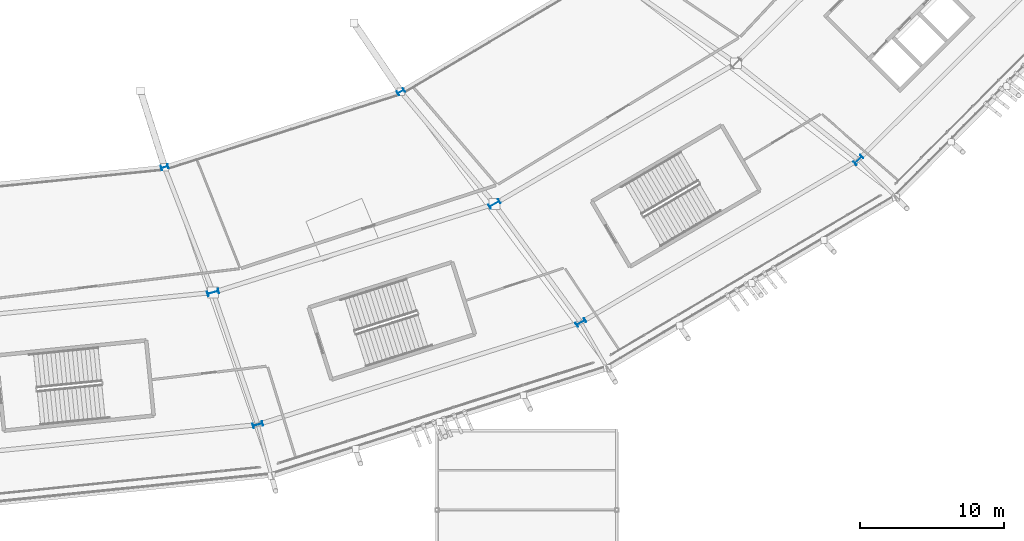
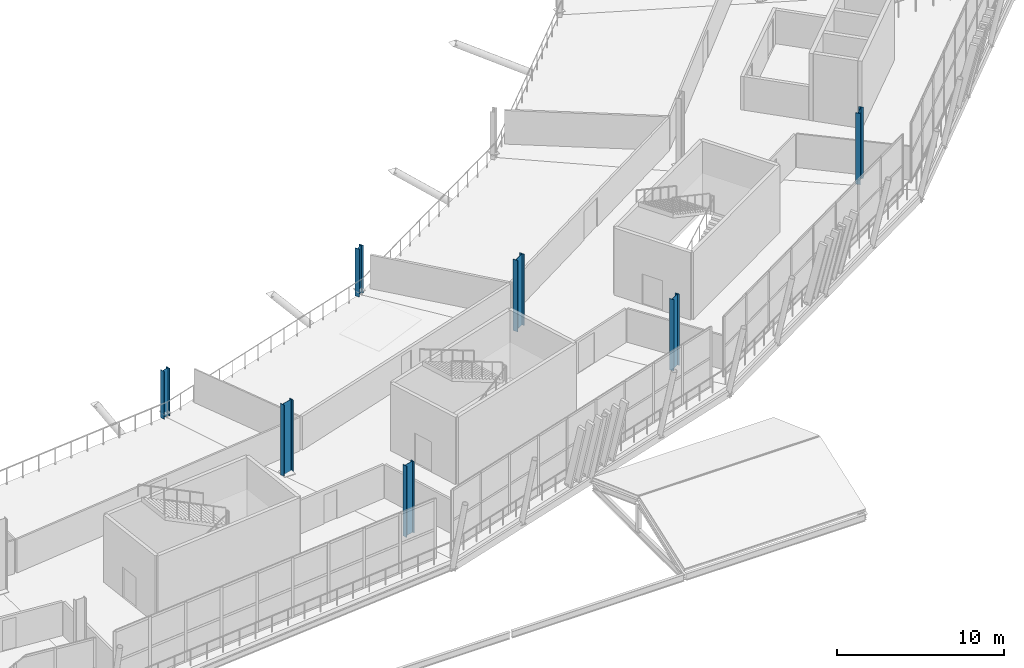
# One storey, part 9 of 168: 7 columns.
"""IFC4 building model written with IfcOpenShell, lengths in metres."""

import ifcopenshell
import ifcopenshell.guid

model = None  # the IFC model being written
_history = None  # IfcOwnerHistory: only IFC2X3 demands one
_inside = {}  # id of a spatial element -> (the spatial element, [elements in it])
_under = {}  # id of a project, library or spatial element -> (it, [spatial elements below it])
_declared = {}  # id of a project -> (the project, [libraries it declares])
_typed = {}  # id of a type object -> (the type object, [elements of that type])
_made_of = {}  # id of a material, layer set ... -> (it, [elements and type objects made of it])


def new_model(schema):
    """Start an empty IFC model of exactly this schema.

    Asked for "IFC4X3", IfcOpenShell would pick the latest addendum, in which some entities
    have other attributes; the version numbers below select the first issue.
    IFC2X3 requires an IfcOwnerHistory on every rooted entity: one is made here for all.
    """
    global model, _history
    if schema == "IFC4X3":
        model = ifcopenshell.file(schema_version=(4, 3, 0, 0))
    else:
        model = ifcopenshell.file(schema=schema)
    _inside.clear()
    _under.clear()
    _declared.clear()
    _typed.clear()
    _made_of.clear()
    _history = None
    if model.schema == "IFC2X3":
        org = make("IfcOrganization", Name="unknown")
        user = make(
            "IfcPersonAndOrganization",
            ThePerson=make("IfcPerson", FamilyName="unknown"),
            TheOrganization=org,
        )
        app = make(
            "IfcApplication",
            ApplicationDeveloper=org,
            Version="unknown",
            ApplicationFullName="unknown",
            ApplicationIdentifier="unknown",
        )
        _history = make(
            "IfcOwnerHistory",
            OwningUser=user,
            OwningApplication=app,
            ChangeAction="ADDED",
            CreationDate=0,
        )
    return model


def make(cls, **values):
    """One entity of the class cls with the attributes given. An attribute that is None is left unset."""
    return model.create_entity(
        cls, **{name: value for name, value in values.items() if value is not None}
    )


def rooted(cls, **values):
    """An entity with a GlobalId (a new one), such as an element, a storey or a relation."""
    return make(cls, GlobalId=ifcopenshell.guid.new(), OwnerHistory=_history, **values)


def si_unit(unit_type, name, prefix=None):
    """IfcSIUnit, for example si_unit("LENGTHUNIT", "METRE", prefix="MILLI")."""
    return make("IfcSIUnit", UnitType=unit_type, Prefix=prefix, Name=name)


def assignment(units):
    """IfcUnitAssignment: the units of a project."""
    return None if units is None else make("IfcUnitAssignment", Units=units)


def point(xyz):
    """IfcCartesianPoint."""
    return None if xyz is None else make("IfcCartesianPoint", Coordinates=xyz)


def direction(xyz):
    """IfcDirection."""
    return None if xyz is None else make("IfcDirection", DirectionRatios=xyz)


def frame(location, z_axis=None, x_axis=None):
    """IfcAxis2Placement3D, a coordinate frame: its origin and axes. An axis left out is left unset."""
    return make(
        "IfcAxis2Placement3D",
        Location=point(location),
        Axis=direction(z_axis),
        RefDirection=direction(x_axis),
    )


def frame_2d(location, x_axis=None):
    """IfcAxis2Placement2D, a coordinate frame in the plane: its origin and x axis."""
    return make(
        "IfcAxis2Placement2D", Location=point(location), RefDirection=direction(x_axis)
    )


def origin():
    """The frame at (0, 0, 0) with its axes left unset."""
    return frame((0.0, 0.0, 0.0))


def origin_2d():
    """The frame at (0, 0) in the plane with its x axis left unset."""
    return frame_2d((0.0, 0.0))


def place(relative_to, where):
    """IfcLocalPlacement: puts the frame where relative to a parent placement (None: the world)."""
    return make(
        "IfcLocalPlacement", PlacementRelTo=relative_to, RelativePlacement=where
    )


def context(
    kind, dimensions, precision=None, world=None, true_north=None, identifier=None
):
    """IfcGeometricRepresentationContext, for example the 3D "Model" context."""
    return make(
        "IfcGeometricRepresentationContext",
        ContextIdentifier=identifier,
        ContextType=kind,
        CoordinateSpaceDimension=dimensions,
        Precision=precision,
        WorldCoordinateSystem=world,
        TrueNorth=true_north,
    )


def subcontext(parent, identifier, kind, view, scale=None):
    """IfcGeometricRepresentationSubContext, for example "Body" below "Model"."""
    return make(
        "IfcGeometricRepresentationSubContext",
        ContextIdentifier=identifier,
        ContextType=kind,
        ParentContext=parent,
        TargetScale=scale,
        TargetView=view,
    )


def project(units=None, contexts=None):
    """IfcProject with its units and contexts."""
    return rooted(
        "IfcProject",
        Name="project",
        RepresentationContexts=contexts,
        UnitsInContext=assignment(units),
    )


def spatial(cls, under=None, at=None, **own):
    """A site, building, storey or space (cls), placed at a placement, below another one or the project."""
    s = rooted(cls, ObjectPlacement=at, **own)
    if under is not None:
        _under.setdefault(under.id(), (under, []))[1].append(s)
    return s


def profile(cls, at=None, kind="AREA", **sizes):
    """A parametric profile (cls). Its sizes go by their IFC names, for example OverallWidth=200.0."""
    return make(cls, ProfileType=kind, Position=at, **sizes)


def i_section(**sizes):
    """IfcIShapeProfileDef."""
    return profile("IfcIShapeProfileDef", **sizes)


def extrude(swept, where, along, depth):
    """IfcExtrudedAreaSolid: the profile swept, set in the frame where, extruded along a direction by depth."""
    return make(
        "IfcExtrudedAreaSolid",
        SweptArea=swept,
        Position=where,
        ExtrudedDirection=direction(along),
        Depth=depth,
    )


def shape(context_of_items, identifier, shape_type, items):
    """IfcShapeRepresentation: the items that make up one representation, for example the "Body"."""
    return make(
        "IfcShapeRepresentation",
        ContextOfItems=context_of_items,
        RepresentationIdentifier=identifier,
        RepresentationType=shape_type,
        Items=items,
    )


def material(Name=None, Category=None):
    """IfcMaterial."""
    return make("IfcMaterial", Name=Name, Category=Category)


def material_profile(
    of_material, cross_section, Name=None, Category=None, Priority=None
):
    """IfcMaterialProfile: a cross section and its material."""
    return make(
        "IfcMaterialProfile",
        Name=Name,
        Material=of_material,
        Profile=cross_section,
        Priority=Priority,
        Category=Category,
    )


def profile_set(profiles, Name=None, composite=None):
    """IfcMaterialProfileSet."""
    return make(
        "IfcMaterialProfileSet",
        Name=Name,
        MaterialProfiles=profiles,
        CompositeProfile=composite,
    )


def made_of(thing, what):
    """Note that an element or type object is made of a material, layer set ...; save() writes the relation."""
    if what is not None:
        _made_of.setdefault(what.id(), (what, []))[1].append(thing)
    return thing


def type_object(cls, material=None, **own):
    """A type object (cls), such as IfcWallType, which elements share."""
    return made_of(rooted(cls, **own), material)


def element(
    cls,
    number,
    at=None,
    inside=None,
    cuts=None,
    type_object=None,
    material=None,
    context=None,
    identifier="Body",
    shape_type=None,
    held_by="IfcProductDefinitionShape",
    body=None,
    shapes=None,
    **own,
):
    """One element of the class cls, such as IfcWall. Its Tag is "e" and its number.

    at: its placement. inside: the storey or other place that contains it. cuts: it is an
    opening in that element (IfcRelVoidsElement). A single representation is given by context,
    identifier, shape_type and body (its items); several are given by shapes. held_by: the class
    of the entity that holds the representations. save() writes the other relations.
    """
    e = rooted(cls, Tag="e%d" % number, ObjectPlacement=at, **own)
    if body is not None:
        shapes = [shape(context, identifier, shape_type, body)]
    if shapes is not None:
        e.Representation = make(held_by, Representations=shapes)
    if inside is not None:
        _inside.setdefault(inside.id(), (inside, []))[1].append(e)
    if cuts is not None:
        rooted(
            "IfcRelVoidsElement", RelatingBuildingElement=cuts, RelatedOpeningElement=e
        )
    if type_object is not None:
        _typed.setdefault(type_object.id(), (type_object, []))[1].append(e)
    return made_of(e, material)


def aggregate(whole, parts):
    """IfcRelAggregates: a whole, such as a stair, and the parts it consists of."""
    return rooted("IfcRelAggregates", RelatingObject=whole, RelatedObjects=parts)


def save(model, path):
    """Write the relations noted so far, then the file.

    IfcRelAggregates (storeys below a building ...), IfcRelContainedInSpatialStructure (elements
    in a storey), IfcRelDefinesByType, IfcRelAssociatesMaterial and IfcRelDeclares: one each for
    every whole, place, type object, material and project.
    """
    for whole, parts in _under.values():
        aggregate(whole, parts)
    for where, things in _inside.values():
        rooted(
            "IfcRelContainedInSpatialStructure",
            RelatedElements=things,
            RelatingStructure=where,
        )
    for kind, things in _typed.values():
        rooted("IfcRelDefinesByType", RelatedObjects=things, RelatingType=kind)
    for what, things in _made_of.values():
        rooted("IfcRelAssociatesMaterial", RelatedObjects=things, RelatingMaterial=what)
    for by, libraries in _declared.values():
        rooted("IfcRelDeclares", RelatingContext=by, RelatedDefinitions=libraries)
    model.write(path)


model = new_model("IFC4")

# Units and contexts
model_context = context("Model", 3, precision=1e-05, world=origin(), true_north=direction((0.0, 1.0)))
body_context = subcontext(model_context, "Body", "Model", "MODEL_VIEW")
ifc_project = project(units=[si_unit("LENGTHUNIT", "METRE"), si_unit("AREAUNIT", "SQUARE_METRE"), si_unit("VOLUMEUNIT", "CUBIC_METRE"), si_unit("PLANEANGLEUNIT", "RADIAN"), si_unit("MASSUNIT", "GRAM", prefix="KILO")], contexts=[model_context])

# Site, building, storey
site_placement = place(None, origin())
site = spatial("IfcSite", under=ifc_project, at=site_placement, CompositionType="ELEMENT")
building_placement = place(site_placement, origin())
building = spatial("IfcBuilding", under=site, at=building_placement, Name="Zlatoyarsky Gate Stadium", CompositionType="ELEMENT")
storey_placement = place(building_placement, frame((0.0, 0.0, 15.60009765625)))
storey = spatial("IfcBuildingStorey", under=building, at=storey_placement, Name="L03", CompositionType="ELEMENT", Elevation=15.60009765625)

# Columns
ifc_material = material(Name="Steel S355", Category="steel")
ifc_material_profile_1 = material_profile(ifc_material, i_section(OverallWidth=0.300048828125, OverallDepth=0.5, WebThickness=0.014404296875, FlangeThickness=0.028076171875, FilletRadius=0.027099609375, at=origin_2d()), Name="HEB 500")
ifc_profile_set_1 = profile_set([ifc_material_profile_1], Name="Steel S355")
column_type_1 = type_object("IfcColumnType", Name="STEEL COLUMN HEB 500", PredefinedType="COLUMN", material=ifc_profile_set_1)
for number, where, z_axis, x_axis, name in (
    (1, (128.599609375, 29.288818359375, 0.0), (0.0, 0.0, 1.0), (0.258819045103, -0.965925826289, 0.0), "Column ST-C500 RA-19 on L03"),
    (2, (145.0, 34.53369140625, 0.0), (0.0, 0.0, 1.0), (0.5, -0.866025403784, 0.0), "Column ST-C500 RA-20 on L03"),
):
    element("IfcColumn", number, at=place(storey_placement, frame(where, z_axis=z_axis, x_axis=x_axis)), inside=storey, type_object=column_type_1, Name=name, PredefinedType="COLUMN", context=body_context, shape_type="SweptSolid", body=[
        extrude(i_section(OverallWidth=0.300048828125, OverallDepth=0.5, WebThickness=0.014404296875, FlangeThickness=0.028076171875, FilletRadius=0.027099609375, at=origin_2d()), origin(), (0.0, 0.0, 1.0), 3.47998046875),
    ])
ifc_material_profile_2 = material_profile(ifc_material, i_section(OverallWidth=0.300048828125, OverallDepth=0.699951171875, WebThickness=0.01708984375, FlangeThickness=0.031982421875, FilletRadius=0.027099609375, at=origin_2d()), Name="HEB 700")
ifc_profile_set_2 = profile_set([ifc_material_profile_2], Name="Steel S355")
column_type_2 = type_object("IfcColumnType", Name="STEEL COLUMN HEB 700", PredefinedType="COLUMN", material=ifc_profile_set_2)
for number, where, z_axis, x_axis, name in (
    (3, (135.0703125, 11.419189453125, 0.0), (0.0, 0.0, 1.0), (0.258819045103, -0.965925826289, 0.0), "Column ST-C700 RC-19 on L03"),
    (4, (157.5, 18.51220703125, 0.0), (0.0, 0.0, 1.0), (0.5, -0.866025403784, 0.0), "Column ST-C700 RC-20 on L03"),
    (5, (176.760986328125, 29.79541015625, 0.0), (0.0, 0.0, 1.0), (0.707106781187, -0.707106781187, 0.0), "Column ST-C700 RC-21 on L03"),
):
    element("IfcColumn", number, at=place(storey_placement, frame(where, z_axis=z_axis, x_axis=x_axis)), inside=storey, type_object=column_type_2, Name=name, PredefinedType="COLUMN", context=body_context, shape_type="SweptSolid", body=[
        extrude(i_section(OverallWidth=0.300048828125, OverallDepth=0.699951171875, WebThickness=0.01708984375, FlangeThickness=0.031982421875, FilletRadius=0.027099609375, at=origin_2d()), origin(), (0.0, 0.0, 1.0), 5.199951171875),
    ])
ifc_material_profile_3 = material_profile(ifc_material, i_section(OverallWidth=0.300048828125, OverallDepth=0.800048828125, WebThickness=0.017578125, FlangeThickness=0.032958984375, FilletRadius=0.030029296875, at=origin_2d()), Name="HEB 800")
ifc_profile_set_3 = profile_set([ifc_material_profile_3], Name="Steel S355")
column_type_3 = type_object("IfcColumnType", Name="STEEL COLUMN HEB 800", PredefinedType="COLUMN", material=ifc_profile_set_3)
for number, where, z_axis, x_axis, name in (
    (6, (131.96435546875, 20.595703125, 0.0), (0.0, 0.0, 1.0), (0.258819045103, -0.965925826289, 0.0), "Column ST-C800 RB-19 on L03"),
    (7, (151.5, 26.739501953125, 0.0), (0.0, 0.0, 1.0), (0.5, -0.866025403784, 0.0), "Column ST-C800 RB-20 on L03"),
):
    element("IfcColumn", number, at=place(storey_placement, frame(where, z_axis=z_axis, x_axis=x_axis)), inside=storey, type_object=column_type_3, Name=name, PredefinedType="COLUMN", context=body_context, shape_type="SweptSolid", body=[
        extrude(i_section(OverallWidth=0.300048828125, OverallDepth=0.800048828125, WebThickness=0.017578125, FlangeThickness=0.032958984375, FilletRadius=0.030029296875, at=origin_2d()), origin(), (0.0, 0.0, 1.0), 5.199951171875),
    ])

save(model, "model.ifc")
